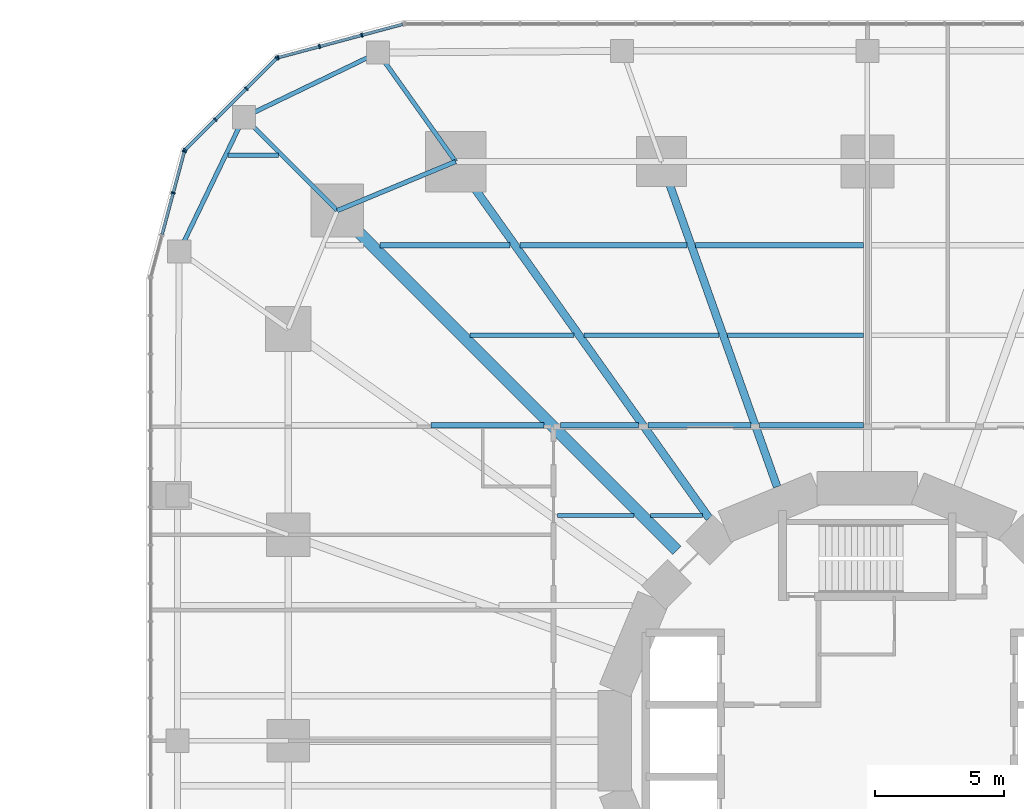
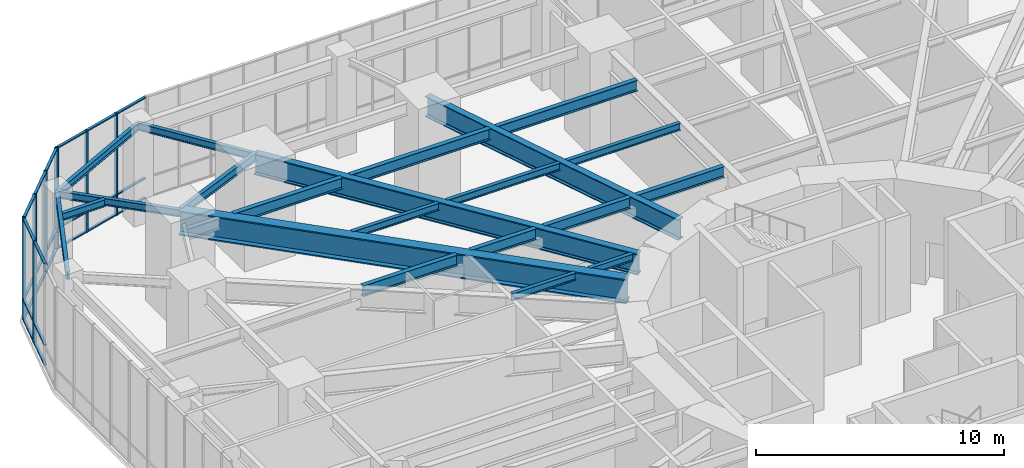
# One storey, part 11 of 24: 33 members, 21 beams, 3 elements without a shape of their own.
"""IFC4 building model written with IfcOpenShell, lengths in metres."""

from ifc_helpers import new_model, si_unit, direction, frame, origin, origin_2d, place, context, subcontext, project, spatial, rectangle, i_section, extrude, material, material_profile, profile_set, type_object, element, aggregate, save


model = new_model("IFC4")

# Units and contexts
model_context = context("Model", 3, precision=1e-05, world=origin(), true_north=direction((0.0, 1.0)))
body_context = subcontext(model_context, "Body", "Model", "MODEL_VIEW")
ifc_project = project(units=[si_unit("LENGTHUNIT", "METRE"), si_unit("AREAUNIT", "SQUARE_METRE"), si_unit("VOLUMEUNIT", "CUBIC_METRE"), si_unit("PLANEANGLEUNIT", "RADIAN"), si_unit("MASSUNIT", "GRAM", prefix="KILO")], contexts=[model_context])

# Site, building, storey
site_placement = place(None, origin())
site = spatial("IfcSite", under=ifc_project, at=site_placement, CompositionType="ELEMENT")
building_placement = place(site_placement, origin())
building = spatial("IfcBuilding", under=site, at=building_placement, Name="Nakasero Lantern House", CompositionType="ELEMENT")
storey_placement = place(building_placement, frame((0.0, 0.0, 11.0)))
storey = spatial("IfcBuildingStorey", under=building, at=storey_placement, Name="L02", CompositionType="ELEMENT", Elevation=11.0)

# Beams
ifc_material_1 = material(Name="Steel S355", Category="steel")
ifc_material_profile_1 = material_profile(ifc_material_1, i_section(OverallWidth=0.17138671875, OverallDepth=0.35498046875, WebThickness=0.00732421875, FlangeThickness=0.011474609375, FilletRadius=0.01025390625, at=origin_2d()), Name="UB 356x171x51")
ifc_profile_set_1 = profile_set([ifc_material_profile_1], Name="Steel S355")
beam_type_1 = type_object("IfcBeamType", Name="Infill beam UB 356x171x51", PredefinedType="JOIST", material=ifc_profile_set_1)
beam_1_placement = place(storey_placement, frame((-12.03857421875, 8.75, 4.62255859375), z_axis=(1.0, 0.0, 0.0), x_axis=(0.0, 1.0, 0.0)))
element("IfcBeam", 1, at=beam_1_placement, inside=storey, type_object=beam_type_1, Name="Infill beam L03 11.1", PredefinedType="JOIST", context=body_context, shape_type="SweptSolid", body=[
    extrude(i_section(OverallWidth=0.17138671875, OverallDepth=0.35498046875, WebThickness=0.00732421875, FlangeThickness=0.011474609375, FilletRadius=0.01025390625, at=origin_2d()), origin(), (0.0, 0.0, 1.0), 2.970458984375),
])
beam_2_placement = place(storey_placement, frame((-8.431884765625, 8.75, 4.62255859375), z_axis=(1.0, 0.0, 0.0), x_axis=(0.0, 1.0, 0.0)))
element("IfcBeam", 2, at=beam_2_placement, inside=storey, type_object=beam_type_1, Name="Infill beam L03 11.2", PredefinedType="JOIST", context=body_context, shape_type="SweptSolid", body=[
    extrude(i_section(OverallWidth=0.17138671875, OverallDepth=0.35498046875, WebThickness=0.00732421875, FlangeThickness=0.011474609375, FilletRadius=0.01025390625, at=origin_2d()), origin(), (0.0, 0.0, 1.0), 2.0205078125),
])
beam_3_placement = place(storey_placement, frame((-15.431884765625, 15.75, 4.62255859375), z_axis=(1.0, 0.0, 0.0), x_axis=(0.0, 1.0, 0.0)))
element("IfcBeam", 3, at=beam_3_placement, inside=storey, type_object=beam_type_1, Name="Infill beam L03 13.1", PredefinedType="JOIST", context=body_context, shape_type="SweptSolid", body=[
    extrude(i_section(OverallWidth=0.17138671875, OverallDepth=0.35498046875, WebThickness=0.00732421875, FlangeThickness=0.011474609375, FilletRadius=0.01025390625, at=origin_2d()), origin(), (0.0, 0.0, 1.0), 4.042724609375),
])
beam_4_placement = place(storey_placement, frame((-11.0107421875, 15.75, 4.62255859375), z_axis=(1.0, 0.0, 0.0), x_axis=(0.0, 1.0, 0.0)))
element("IfcBeam", 4, at=beam_4_placement, inside=storey, type_object=beam_type_1, Name="Infill beam L03 13.2", PredefinedType="JOIST", context=body_context, shape_type="SweptSolid", body=[
    extrude(i_section(OverallWidth=0.17138671875, OverallDepth=0.35498046875, WebThickness=0.00732421875, FlangeThickness=0.011474609375, FilletRadius=0.01025390625, at=origin_2d()), origin(), (0.0, 0.0, 1.0), 5.25048828125),
])
beam_5_placement = place(storey_placement, frame((-5.439697265625, 15.75, 4.62255859375), z_axis=(1.0, 0.0, 0.0), x_axis=(0.0, 1.0, 0.0)))
element("IfcBeam", 5, at=beam_5_placement, inside=storey, type_object=beam_type_1, Name="Infill beam L03 13.3", PredefinedType="JOIST", context=body_context, shape_type="SweptSolid", body=[
    extrude(i_section(OverallWidth=0.17138671875, OverallDepth=0.35498046875, WebThickness=0.00732421875, FlangeThickness=0.011474609375, FilletRadius=0.01025390625, at=origin_2d()), origin(), (0.0, 0.0, 1.0), 5.285400390625),
])
beam_6_placement = place(storey_placement, frame((-24.8369140625, 22.75, 4.572509765625), z_axis=(1.0, 0.0, 0.0), x_axis=(0.0, 1.0, 0.0)))
element("IfcBeam", 6, at=beam_6_placement, inside=storey, type_object=beam_type_1, Name="Infill beam L03 15.1", PredefinedType="JOIST", context=body_context, shape_type="SweptSolid", body=[
    extrude(i_section(OverallWidth=0.17138671875, OverallDepth=0.35498046875, WebThickness=0.00732421875, FlangeThickness=0.011474609375, FilletRadius=0.01025390625, at=origin_2d()), origin(), (0.0, 0.0, 1.0), 1.965576171875),
])
ifc_material_2 = material(Name="Steel S355", Category="steel")
ifc_material_profile_2 = material_profile(ifc_material_2, i_section(OverallWidth=0.2099609375, OverallDepth=0.53662109375, WebThickness=0.0107421875, FlangeThickness=0.017333984375, FilletRadius=0.0126953125, at=origin_2d()), Name="UB 533x210x101")
ifc_profile_set_2 = profile_set([ifc_material_profile_2], Name="Steel S355")
beam_type_2 = type_object("IfcBeamType", Name="Infill beam UB 533x210x101", PredefinedType="JOIST", material=ifc_profile_set_2)
beam_7_placement = place(storey_placement, frame((-18.931884765625, 19.25, 4.53173828125), z_axis=(1.0, 0.0, 0.0), x_axis=(0.0, 1.0, 0.0)))
element("IfcBeam", 7, at=beam_7_placement, inside=storey, type_object=beam_type_2, Name="Infill beam L03 14.2", PredefinedType="JOIST", context=body_context, shape_type="SweptSolid", body=[
    extrude(i_section(OverallWidth=0.2099609375, OverallDepth=0.53662109375, WebThickness=0.0107421875, FlangeThickness=0.017333984375, FilletRadius=0.0126953125, at=origin_2d()), origin(), (0.0, 0.0, 1.0), 5.0537109375),
])
beam_8_placement = place(storey_placement, frame((-13.49951171875, 19.25, 4.53173828125), z_axis=(1.0, 0.0, 0.0), x_axis=(0.0, 1.0, 0.0)))
element("IfcBeam", 8, at=beam_8_placement, inside=storey, type_object=beam_type_2, Name="Infill beam L03 14.3", PredefinedType="JOIST", context=body_context, shape_type="SweptSolid", body=[
    extrude(i_section(OverallWidth=0.2099609375, OverallDepth=0.53662109375, WebThickness=0.0107421875, FlangeThickness=0.017333984375, FilletRadius=0.0126953125, at=origin_2d()), origin(), (0.0, 0.0, 1.0), 6.494873046875),
])
beam_9_placement = place(storey_placement, frame((-6.68408203125, 19.25, 4.53173828125), z_axis=(1.0, 0.0, 0.0), x_axis=(0.0, 1.0, 0.0)))
element("IfcBeam", 9, at=beam_9_placement, inside=storey, type_object=beam_type_2, Name="Infill beam L03 14.4", PredefinedType="JOIST", context=body_context, shape_type="SweptSolid", body=[
    extrude(i_section(OverallWidth=0.2099609375, OverallDepth=0.53662109375, WebThickness=0.0107421875, FlangeThickness=0.017333984375, FilletRadius=0.0126953125, at=origin_2d()), origin(), (0.0, 0.0, 1.0), 6.52978515625),
])
ifc_material_3 = material(Name="Steel S355", Category="steel")
ifc_material_profile_3 = material_profile(ifc_material_3, i_section(OverallWidth=0.208740234375, OverallDepth=0.5283203125, WebThickness=0.009521484375, FlangeThickness=0.01318359375, FilletRadius=0.0126953125, at=origin_2d()), Name="UB 533x210x82")
ifc_profile_set_3 = profile_set([ifc_material_profile_3], Name="Steel S355")
beam_type_3 = type_object("IfcBeamType", Name="Infill beam UB 533x210x82", PredefinedType="JOIST", material=ifc_profile_set_3)
beam_10_placement = place(storey_placement, frame((-16.96044921875, 12.25, 4.535888671875), z_axis=(1.0, 0.0, 0.0), x_axis=(0.0, 1.0, 0.0)))
element("IfcBeam", 10, at=beam_10_placement, inside=storey, type_object=beam_type_3, Name="Infill beam L03 12.3", PredefinedType="JOIST", context=body_context, shape_type="SweptSolid", body=[
    extrude(i_section(OverallWidth=0.208740234375, OverallDepth=0.5283203125, WebThickness=0.009521484375, FlangeThickness=0.01318359375, FilletRadius=0.0126953125, at=origin_2d()), origin(), (0.0, 0.0, 1.0), 4.392333984375),
])
beam_11_placement = place(storey_placement, frame((-11.931884765625, 12.25, 4.535888671875), z_axis=(1.0, 0.0, 0.0), x_axis=(0.0, 1.0, 0.0)))
element("IfcBeam", 11, at=beam_11_placement, inside=storey, type_object=beam_type_3, Name="Infill beam L03 12.4", PredefinedType="JOIST", context=body_context, shape_type="SweptSolid", body=[
    extrude(i_section(OverallWidth=0.208740234375, OverallDepth=0.5283203125, WebThickness=0.009521484375, FlangeThickness=0.01318359375, FilletRadius=0.0126953125, at=origin_2d()), origin(), (0.0, 0.0, 1.0), 3.031494140625),
])
beam_12_placement = place(storey_placement, frame((-8.521728515625, 12.25, 4.535888671875), z_axis=(1.0, 0.0, 0.0), x_axis=(0.0, 1.0, 0.0)))
element("IfcBeam", 12, at=beam_12_placement, inside=storey, type_object=beam_type_3, Name="Infill beam L03 12.5", PredefinedType="JOIST", context=body_context, shape_type="SweptSolid", body=[
    extrude(i_section(OverallWidth=0.208740234375, OverallDepth=0.5283203125, WebThickness=0.009521484375, FlangeThickness=0.01318359375, FilletRadius=0.0126953125, at=origin_2d()), origin(), (0.0, 0.0, 1.0), 4.005859375),
])
beam_13_placement = place(storey_placement, frame((-4.1953125, 12.25, 4.535888671875), z_axis=(1.0, 0.0, 0.0), x_axis=(0.0, 1.0, 0.0)))
element("IfcBeam", 13, at=beam_13_placement, inside=storey, type_object=beam_type_3, Name="Infill beam L03 12.6", PredefinedType="JOIST", context=body_context, shape_type="SweptSolid", body=[
    extrude(i_section(OverallWidth=0.208740234375, OverallDepth=0.5283203125, WebThickness=0.009521484375, FlangeThickness=0.01318359375, FilletRadius=0.0126953125, at=origin_2d()), origin(), (0.0, 0.0, 1.0), 4.041015625),
])

# Curtain wall, members
ifc_material_4 = material(Name="Aluminium 6063-T6 and glass", Category="aluminium")
curtain_wall_type = type_object("IfcCurtainWallType", Name="Podium curtain wall CW-2", PredefinedType="USERDEFINED", material=ifc_material_4)
curtain_wall_1_placement = place(storey_placement, origin())
curtain_wall_1 = element("IfcCurtainWall", 14, at=curtain_wall_1_placement, inside=storey, type_object=curtain_wall_type, Name="Curtain wall CW-2 L02", ObjectType="STICK CURTAIN WALL", PredefinedType="USERDEFINED")
ifc_material_5 = material(Name="Aluminium 6063-T6", Category="aluminium")
ifc_material_profile_4 = material_profile(ifc_material_5, rectangle(XDim=0.06005859375, YDim=0.159912109375, at=origin_2d()), Name="CW-2 mullion 60x160")
ifc_profile_set_4 = profile_set([ifc_material_profile_4], Name="Aluminium 6063-T6")
member_type_1 = type_object("IfcMemberType", Name="Mullion CW-2", PredefinedType="MULLION", material=ifc_profile_set_4)
member_1_placement = place(storey_placement, frame((-19.6416015625, 27.41015625, 0.0), z_axis=(0.0, 0.0, 1.0), x_axis=(-0.965925826289, -0.258819045103, 0.0)))
member_1 = element("IfcMember", 15, at=member_1_placement, type_object=member_type_1, Name="CW-2 mullion 2", PredefinedType="MULLION", context=body_context, shape_type="SweptSolid", body=[
    extrude(rectangle(XDim=0.06005859375, YDim=0.159912109375, at=origin_2d()), origin(), (0.0, 0.0, 1.0), 5.0),
])
member_2_placement = place(storey_placement, frame((-21.283447265625, 26.97021484375, 0.0), z_axis=(0.0, 0.0, 1.0), x_axis=(-0.965925826289, -0.258819045103, 0.0)))
member_2 = element("IfcMember", 16, at=member_2_placement, type_object=member_type_1, Name="CW-2 mullion 3", PredefinedType="MULLION", context=body_context, shape_type="SweptSolid", body=[
    extrude(rectangle(XDim=0.06005859375, YDim=0.159912109375, at=origin_2d()), origin(), (0.0, 0.0, 1.0), 5.0),
])
member_3_placement = place(storey_placement, frame((-22.89599609375, 26.5380859375, 0.0), z_axis=(0.0, 0.0, 1.0), x_axis=(-0.965925826289, -0.258819045103, 0.0)))
member_3 = element("IfcMember", 17, at=member_3_placement, type_object=member_type_1, Name="CW-2 mullion 4", PredefinedType="MULLION", context=body_context, shape_type="SweptSolid", body=[
    extrude(rectangle(XDim=0.06005859375, YDim=0.159912109375, at=origin_2d()), origin(), (0.0, 0.0, 1.0), 5.0),
])

curtain_wall_2_placement = place(storey_placement, origin())
curtain_wall_2 = element("IfcCurtainWall", 18, at=curtain_wall_2_placement, inside=storey, type_object=curtain_wall_type, Name="Curtain wall CW-2 L02", ObjectType="STICK CURTAIN WALL", PredefinedType="USERDEFINED")
member_4_placement = place(storey_placement, frame((-22.9462890625, 26.509033203125, 0.0), z_axis=(0.0, 0.0, 1.0), x_axis=(-0.707106781187, -0.707106781187, 0.0)))
member_4 = element("IfcMember", 19, at=member_4_placement, type_object=member_type_1, Name="CW-2 mullion 1", PredefinedType="MULLION", context=body_context, shape_type="SweptSolid", body=[
    extrude(rectangle(XDim=0.06005859375, YDim=0.159912109375, at=origin_2d()), origin(), (0.0, 0.0, 1.0), 5.0),
])
member_5_placement = place(storey_placement, frame((-24.126708984375, 25.32861328125, 0.0), z_axis=(0.0, 0.0, 1.0), x_axis=(-0.707106781187, -0.707106781187, 0.0)))
member_5 = element("IfcMember", 20, at=member_5_placement, type_object=member_type_1, Name="CW-2 mullion 2", PredefinedType="MULLION", context=body_context, shape_type="SweptSolid", body=[
    extrude(rectangle(XDim=0.06005859375, YDim=0.159912109375, at=origin_2d()), origin(), (0.0, 0.0, 1.0), 5.0),
])
member_6_placement = place(storey_placement, frame((-25.32861328125, 24.126708984375, 0.0), z_axis=(0.0, 0.0, 1.0), x_axis=(-0.707106781187, -0.707106781187, 0.0)))
member_6 = element("IfcMember", 21, at=member_6_placement, type_object=member_type_1, Name="CW-2 mullion 3", PredefinedType="MULLION", context=body_context, shape_type="SweptSolid", body=[
    extrude(rectangle(XDim=0.06005859375, YDim=0.159912109375, at=origin_2d()), origin(), (0.0, 0.0, 1.0), 5.0),
])
member_7_placement = place(storey_placement, frame((-26.509033203125, 22.9462890625, 0.0), z_axis=(0.0, 0.0, 1.0), x_axis=(-0.707106781187, -0.707106781187, 0.0)))
member_7 = element("IfcMember", 22, at=member_7_placement, type_object=member_type_1, Name="CW-2 mullion 4", PredefinedType="MULLION", context=body_context, shape_type="SweptSolid", body=[
    extrude(rectangle(XDim=0.06005859375, YDim=0.159912109375, at=origin_2d()), origin(), (0.0, 0.0, 1.0), 5.0),
])

curtain_wall_3_placement = place(storey_placement, origin())
curtain_wall_3 = element("IfcCurtainWall", 23, at=curtain_wall_3_placement, inside=storey, type_object=curtain_wall_type, Name="Curtain wall CW-2 L02", ObjectType="STICK CURTAIN WALL", PredefinedType="USERDEFINED")
member_8_placement = place(storey_placement, frame((-26.5380859375, 22.89599609375, 0.0), z_axis=(0.0, 0.0, 1.0), x_axis=(-0.258819045103, -0.965925826289, 0.0)))
member_8 = element("IfcMember", 24, at=member_8_placement, type_object=member_type_1, Name="CW-2 mullion 1", PredefinedType="MULLION", context=body_context, shape_type="SweptSolid", body=[
    extrude(rectangle(XDim=0.06005859375, YDim=0.159912109375, at=origin_2d()), origin(), (0.0, 0.0, 1.0), 5.0),
])
member_9_placement = place(storey_placement, frame((-26.97021484375, 21.283447265625, 0.0), z_axis=(0.0, 0.0, 1.0), x_axis=(-0.258819045103, -0.965925826289, 0.0)))
member_9 = element("IfcMember", 25, at=member_9_placement, type_object=member_type_1, Name="CW-2 mullion 2", PredefinedType="MULLION", context=body_context, shape_type="SweptSolid", body=[
    extrude(rectangle(XDim=0.06005859375, YDim=0.159912109375, at=origin_2d()), origin(), (0.0, 0.0, 1.0), 5.0),
])

# Beams
ifc_material_6 = material(Name="Steel S355", Category="steel")
ifc_material_profile_5 = material_profile(ifc_material_6, i_section(OverallWidth=0.449951171875, OverallDepth=1.199951171875, WebThickness=0.02490234375, FlangeThickness=0.06005859375, at=origin_2d()), Name="PG 1200x450x636")
ifc_profile_set_5 = profile_set([ifc_material_profile_5], Name="Steel S355")
beam_type_4 = type_object("IfcBeamType", Name="Primary beam PG 1200x450x636, span over 15 m", PredefinedType="BEAM", material=ifc_profile_set_5)
beam_14_placement = place(storey_placement, frame((-20.59619140625, 20.59619140625, 4.199951171875), z_axis=(0.707106781187, -0.707106781187, 0.0), x_axis=(0.707106781187, 0.707106781187, 0.0)))
element("IfcBeam", 26, at=beam_14_placement, inside=storey, type_object=beam_type_4, Name="Primary beam L03 B1-C12", PredefinedType="BEAM", context=body_context, shape_type="SweptSolid", body=[
    extrude(i_section(OverallWidth=0.449951171875, OverallDepth=1.199951171875, WebThickness=0.02490234375, FlangeThickness=0.06005859375, at=origin_2d()), origin(), (0.0, 0.0, 1.0), 18.669677734375),
])
ifc_material_7 = material(Name="Steel S355", Category="steel")
ifc_material_profile_6 = material_profile(ifc_material_7, i_section(OverallWidth=0.302001953125, OverallDepth=1.008056640625, WebThickness=0.02099609375, FlangeThickness=0.0400390625, FilletRadius=0.030029296875, at=origin_2d()), Name="UB 1016x305x349")
ifc_profile_set_6 = profile_set([ifc_material_profile_6], Name="Steel S355")
beam_type_5 = type_object("IfcBeamType", Name="Primary beam UB 1016x305x349, span 12 to 15 m", PredefinedType="BEAM", material=ifc_profile_set_6)
beam_15_placement = place(storey_placement, frame((-8.0, 22.5, 4.2958984375), z_axis=(0.335010745293, -0.942214307118, 0.0), x_axis=(0.942214307118, 0.335010745293, 0.0)))
element("IfcBeam", 27, at=beam_15_placement, inside=storey, type_object=beam_type_5, Name="Primary beam L03 B1-C10", PredefinedType="BEAM", context=body_context, shape_type="SweptSolid", body=[
    extrude(i_section(OverallWidth=0.302001953125, OverallDepth=1.008056640625, WebThickness=0.02099609375, FlangeThickness=0.0400390625, FilletRadius=0.030029296875, at=origin_2d()), origin(), (0.0, 0.0, 1.0), 13.408447265625),
])
ifc_material_8 = material(Name="Steel S355", Category="steel")
ifc_material_profile_7 = material_profile(ifc_material_8, i_section(OverallWidth=0.30859375, OverallDepth=1.036376953125, WebThickness=0.030029296875, FlangeThickness=0.05419921875, FilletRadius=0.030029296875, at=origin_2d()), Name="UB 1016x305x487")
ifc_profile_set_7 = profile_set([ifc_material_profile_7], Name="Steel S355")
beam_type_6 = type_object("IfcBeamType", Name="Primary beam UB 1016x305x487, span over 15 m", PredefinedType="BEAM", material=ifc_profile_set_7)
beam_16_placement = place(storey_placement, frame((-16.0, 22.5, 4.28173828125), z_axis=(0.579528236629, -0.814952159915, 0.0), x_axis=(0.814952159915, 0.579528236629, 0.0)))
element("IfcBeam", 28, at=beam_16_placement, inside=storey, type_object=beam_type_6, Name="Primary beam L03 B1-C11", PredefinedType="BEAM", context=body_context, shape_type="SweptSolid", body=[
    extrude(i_section(OverallWidth=0.30859375, OverallDepth=1.036376953125, WebThickness=0.030029296875, FlangeThickness=0.05419921875, FilletRadius=0.030029296875, at=origin_2d()), origin(), (0.0, 0.0, 1.0), 17.003173828125),
])
ifc_material_9 = material(Name="Steel S355", Category="steel")
ifc_material_profile_8 = material_profile(ifc_material_9, i_section(OverallWidth=0.17138671875, OverallDepth=0.35498046875, WebThickness=0.00732421875, FlangeThickness=0.011474609375, FilletRadius=0.01025390625, at=origin_2d()), Name="UB 356x171x51")
ifc_profile_set_8 = profile_set([ifc_material_profile_8], Name="Steel S355")
beam_type_7 = type_object("IfcBeamType", Name="Primary beam UB 356x171x51, span to 6 m", PredefinedType="BEAM", material=ifc_profile_set_8)
beam_17_placement = place(storey_placement, frame((-19.0107421875, 26.733642578125, 4.572509765625), z_axis=(0.57954320692, -0.814941514044, 0.0), x_axis=(0.814941514044, 0.57954320692, 0.0)))
element("IfcBeam", 29, at=beam_17_placement, inside=storey, type_object=beam_type_7, Name="Primary beam L03 POD-C11", PredefinedType="BEAM", context=body_context, shape_type="SweptSolid", body=[
    extrude(i_section(OverallWidth=0.17138671875, OverallDepth=0.35498046875, WebThickness=0.00732421875, FlangeThickness=0.011474609375, FilletRadius=0.01025390625, at=origin_2d()), origin(), (0.0, 0.0, 1.0), 5.195068359375),
])
beam_18_placement = place(storey_placement, frame((-24.22265625, 24.22265625, 4.572509765625), z_axis=(0.707106781187, -0.707106781187, 0.0), x_axis=(0.707106781187, 0.707106781187, 0.0)))
element("IfcBeam", 30, at=beam_18_placement, inside=storey, type_object=beam_type_7, Name="Primary beam L03 POD-C12", PredefinedType="BEAM", context=body_context, shape_type="SweptSolid", body=[
    extrude(i_section(OverallWidth=0.17138671875, OverallDepth=0.35498046875, WebThickness=0.00732421875, FlangeThickness=0.011474609375, FilletRadius=0.01025390625, at=origin_2d()), origin(), (0.0, 0.0, 1.0), 5.128662109375),
])
ifc_material_10 = material(Name="Steel S355", Category="steel")
ifc_material_profile_9 = material_profile(ifc_material_10, i_section(OverallWidth=0.17138671875, OverallDepth=0.35498046875, WebThickness=0.00732421875, FlangeThickness=0.011474609375, FilletRadius=0.01025390625, at=origin_2d()), Name="UB 356x171x51")
ifc_profile_set_9 = profile_set([ifc_material_profile_9], Name="Steel S355")
beam_type_8 = type_object("IfcBeamType", Name="Ring beam UB 356x171x51", PredefinedType="BEAM", material=ifc_profile_set_9)
for number, where, z_axis, x_axis, name in (
    (31, (-19.0107421875, 26.733642578125, 4.572509765625), (-0.900897176145, -0.434032577134, 0.0), (0.434032577134, -0.900897176145, 0.0), "Ring beam L03 POD-C11"),
    (32, (-24.22265625, 24.22265625, 4.572509765625), (-0.434032577134, -0.900897176145, 0.0), (0.900897176145, -0.434032577134, 0.0), "Ring beam L03 POD-C12"),
):
    element("IfcBeam", number, at=place(storey_placement, frame(where, z_axis=z_axis, x_axis=x_axis)), inside=storey, type_object=beam_type_8, Name=name, PredefinedType="BEAM", context=body_context, shape_type="SweptSolid", body=[
        extrude(i_section(OverallWidth=0.17138671875, OverallDepth=0.35498046875, WebThickness=0.00732421875, FlangeThickness=0.011474609375, FilletRadius=0.01025390625, at=origin_2d()), origin(), (0.0, 0.0, 1.0), 5.78515625),
    ])
ifc_material_11 = material(Name="Steel S355", Category="steel")
ifc_material_profile_10 = material_profile(ifc_material_11, i_section(OverallWidth=0.177978515625, OverallDepth=0.406494140625, WebThickness=0.0078125, FlangeThickness=0.0126953125, FilletRadius=0.01025390625, at=origin_2d()), Name="UB 406x178x60")
ifc_profile_set_10 = profile_set([ifc_material_profile_10], Name="Steel S355")
beam_type_9 = type_object("IfcBeamType", Name="Ring beam UB 406x178x60", PredefinedType="BEAM", material=ifc_profile_set_10)
beam_19_placement = place(storey_placement, frame((-16.0, 22.5, 4.5966796875), z_axis=(-0.923879264016, -0.382684080569, 0.0), x_axis=(0.382684080569, -0.923879264016, 0.0)))
element("IfcBeam", 33, at=beam_19_placement, inside=storey, type_object=beam_type_9, Name="Ring beam L03 B1-C11", PredefinedType="BEAM", context=body_context, shape_type="SweptSolid", body=[
    extrude(i_section(OverallWidth=0.177978515625, OverallDepth=0.406494140625, WebThickness=0.0078125, FlangeThickness=0.0126953125, FilletRadius=0.01025390625, at=origin_2d()), origin(), (0.0, 0.0, 1.0), 4.974853515625),
])

# Member
ifc_material_12 = material(Name="Aluminium 6063-T6", Category="aluminium")
ifc_material_profile_11 = material_profile(ifc_material_12, rectangle(XDim=0.06005859375, YDim=0.1201171875, at=origin_2d()), Name="CW-2 transom 60x120")
ifc_profile_set_11 = profile_set([ifc_material_profile_11], Name="Aluminium 6063-T6")
member_type_2 = type_object("IfcMemberType", Name="Transom CW-2", PredefinedType="USERDEFINED", material=ifc_profile_set_11)
member_10_placement = place(storey_placement, frame((-18.057861328125, 27.83447265625, 0.030029296875), z_axis=(-0.96594737463, -0.258738612203, 0.0), x_axis=(0.0, 0.0, 1.0)))
member_10 = element("IfcMember", 34, at=member_10_placement, type_object=member_type_2, Name="CW-2 transom 1.1", ObjectType="TRANSOM", PredefinedType="USERDEFINED", context=body_context, shape_type="SweptSolid", body=[
    extrude(rectangle(XDim=0.06005859375, YDim=0.1201171875, at=origin_2d()), origin(), (0.0, 0.0, 1.0), 1.60986328125),
])

member_11_placement = place(storey_placement, frame((-18.057861328125, 27.83447265625, 1.0), z_axis=(-0.96594737463, -0.258738612203, 0.0), x_axis=(0.0, 0.0, 1.0)))
member_11 = element("IfcMember", 35, at=member_11_placement, type_object=member_type_2, Name="CW-2 transom 1.2", ObjectType="TRANSOM", PredefinedType="USERDEFINED", context=body_context, shape_type="SweptSolid", body=[
    extrude(rectangle(XDim=0.06005859375, YDim=0.1201171875, at=origin_2d()), origin(), (0.0, 0.0, 1.0), 1.60986328125),
])

member_12_placement = place(storey_placement, frame((-18.057861328125, 27.83447265625, 4.969970703125), z_axis=(-0.96594737463, -0.258738612203, 0.0), x_axis=(0.0, 0.0, 1.0)))
member_12 = element("IfcMember", 36, at=member_12_placement, type_object=member_type_2, Name="CW-2 transom 1.3", ObjectType="TRANSOM", PredefinedType="USERDEFINED", context=body_context, shape_type="SweptSolid", body=[
    extrude(rectangle(XDim=0.06005859375, YDim=0.1201171875, at=origin_2d()), origin(), (0.0, 0.0, 1.0), 1.60986328125),
])

member_13_placement = place(storey_placement, frame((-19.670654296875, 27.40234375, 0.030029296875), z_axis=(-0.965932765235, -0.258793147214, 0.0), x_axis=(0.0, 0.0, 1.0)))
member_13 = element("IfcMember", 37, at=member_13_placement, type_object=member_type_2, Name="CW-2 transom 2.1", ObjectType="TRANSOM", PredefinedType="USERDEFINED", context=body_context, shape_type="SweptSolid", body=[
    extrude(rectangle(XDim=0.06005859375, YDim=0.1201171875, at=origin_2d()), origin(), (0.0, 0.0, 1.0), 1.6396484375),
])

member_14_placement = place(storey_placement, frame((-19.670654296875, 27.40234375, 1.0), z_axis=(-0.965932765235, -0.258793147214, 0.0), x_axis=(0.0, 0.0, 1.0)))
member_14 = element("IfcMember", 38, at=member_14_placement, type_object=member_type_2, Name="CW-2 transom 2.2", ObjectType="TRANSOM", PredefinedType="USERDEFINED", context=body_context, shape_type="SweptSolid", body=[
    extrude(rectangle(XDim=0.06005859375, YDim=0.1201171875, at=origin_2d()), origin(), (0.0, 0.0, 1.0), 1.6396484375),
])

member_15_placement = place(storey_placement, frame((-19.670654296875, 27.40234375, 4.969970703125), z_axis=(-0.965932765235, -0.258793147214, 0.0), x_axis=(0.0, 0.0, 1.0)))
member_15 = element("IfcMember", 39, at=member_15_placement, type_object=member_type_2, Name="CW-2 transom 2.3", ObjectType="TRANSOM", PredefinedType="USERDEFINED", context=body_context, shape_type="SweptSolid", body=[
    extrude(rectangle(XDim=0.06005859375, YDim=0.1201171875, at=origin_2d()), origin(), (0.0, 0.0, 1.0), 1.6396484375),
])

member_16_placement = place(storey_placement, frame((-21.312255859375, 26.96240234375, 0.030029296875), z_axis=(-0.965937219158, -0.258776522595, 0.0), x_axis=(0.0, 0.0, 1.0)))
member_16 = element("IfcMember", 40, at=member_16_placement, type_object=member_type_2, Name="CW-2 transom 3.1", ObjectType="TRANSOM", PredefinedType="USERDEFINED", context=body_context, shape_type="SweptSolid", body=[
    extrude(rectangle(XDim=0.06005859375, YDim=0.1201171875, at=origin_2d()), origin(), (0.0, 0.0, 1.0), 1.609619140625),
])

member_17_placement = place(storey_placement, frame((-21.312255859375, 26.96240234375, 1.0), z_axis=(-0.965937219158, -0.258776522595, 0.0), x_axis=(0.0, 0.0, 1.0)))
member_17 = element("IfcMember", 41, at=member_17_placement, type_object=member_type_2, Name="CW-2 transom 3.2", ObjectType="TRANSOM", PredefinedType="USERDEFINED", context=body_context, shape_type="SweptSolid", body=[
    extrude(rectangle(XDim=0.06005859375, YDim=0.1201171875, at=origin_2d()), origin(), (0.0, 0.0, 1.0), 1.609619140625),
])

member_18_placement = place(storey_placement, frame((-21.312255859375, 26.96240234375, 4.969970703125), z_axis=(-0.965937219158, -0.258776522595, 0.0), x_axis=(0.0, 0.0, 1.0)))
member_18 = element("IfcMember", 42, at=member_18_placement, type_object=member_type_2, Name="CW-2 transom 3.3", ObjectType="TRANSOM", PredefinedType="USERDEFINED", context=body_context, shape_type="SweptSolid", body=[
    extrude(rectangle(XDim=0.06005859375, YDim=0.1201171875, at=origin_2d()), origin(), (0.0, 0.0, 1.0), 1.609619140625),
])

aggregate(curtain_wall_1, [member_1, member_2, member_3, member_10, member_11, member_12, member_13, member_14, member_15, member_16, member_17, member_18])

member_19_placement = place(storey_placement, frame((-22.967529296875, 26.488037109375, 0.030029296875), z_axis=(-0.707030931707, -0.707182622531, 0.0), x_axis=(0.0, 0.0, 1.0)))
member_19 = element("IfcMember", 43, at=member_19_placement, type_object=member_type_2, Name="CW-2 transom 1.1", ObjectType="TRANSOM", PredefinedType="USERDEFINED", context=body_context, shape_type="SweptSolid", body=[
    extrude(rectangle(XDim=0.06005859375, YDim=0.1201171875, at=origin_2d()), origin(), (0.0, 0.0, 1.0), 1.609375),
])

member_20_placement = place(storey_placement, frame((-22.967529296875, 26.488037109375, 1.0), z_axis=(-0.707030931707, -0.707182622531, 0.0), x_axis=(0.0, 0.0, 1.0)))
member_20 = element("IfcMember", 44, at=member_20_placement, type_object=member_type_2, Name="CW-2 transom 1.2", ObjectType="TRANSOM", PredefinedType="USERDEFINED", context=body_context, shape_type="SweptSolid", body=[
    extrude(rectangle(XDim=0.06005859375, YDim=0.1201171875, at=origin_2d()), origin(), (0.0, 0.0, 1.0), 1.609375),
])

member_21_placement = place(storey_placement, frame((-22.967529296875, 26.488037109375, 4.969970703125), z_axis=(-0.707030931707, -0.707182622531, 0.0), x_axis=(0.0, 0.0, 1.0)))
member_21 = element("IfcMember", 45, at=member_21_placement, type_object=member_type_2, Name="CW-2 transom 1.3", ObjectType="TRANSOM", PredefinedType="USERDEFINED", context=body_context, shape_type="SweptSolid", body=[
    extrude(rectangle(XDim=0.06005859375, YDim=0.1201171875, at=origin_2d()), origin(), (0.0, 0.0, 1.0), 1.609375),
])

member_22_placement = place(storey_placement, frame((-24.14794921875, 25.307373046875, 0.030029296875), z_axis=(-0.707106781187, -0.707106781187, 0.0), x_axis=(0.0, 0.0, 1.0)))
member_22 = element("IfcMember", 46, at=member_22_placement, type_object=member_type_2, Name="CW-2 transom 2.1", ObjectType="TRANSOM", PredefinedType="USERDEFINED", context=body_context, shape_type="SweptSolid", body=[
    extrude(rectangle(XDim=0.06005859375, YDim=0.1201171875, at=origin_2d()), origin(), (0.0, 0.0, 1.0), 1.6396484375),
])

member_23_placement = place(storey_placement, frame((-24.14794921875, 25.307373046875, 1.0), z_axis=(-0.707106781187, -0.707106781187, 0.0), x_axis=(0.0, 0.0, 1.0)))
member_23 = element("IfcMember", 47, at=member_23_placement, type_object=member_type_2, Name="CW-2 transom 2.2", ObjectType="TRANSOM", PredefinedType="USERDEFINED", context=body_context, shape_type="SweptSolid", body=[
    extrude(rectangle(XDim=0.06005859375, YDim=0.1201171875, at=origin_2d()), origin(), (0.0, 0.0, 1.0), 1.6396484375),
])

member_24_placement = place(storey_placement, frame((-24.14794921875, 25.307373046875, 4.969970703125), z_axis=(-0.707106781187, -0.707106781187, 0.0), x_axis=(0.0, 0.0, 1.0)))
member_24 = element("IfcMember", 48, at=member_24_placement, type_object=member_type_2, Name="CW-2 transom 2.3", ObjectType="TRANSOM", PredefinedType="USERDEFINED", context=body_context, shape_type="SweptSolid", body=[
    extrude(rectangle(XDim=0.06005859375, YDim=0.1201171875, at=origin_2d()), origin(), (0.0, 0.0, 1.0), 1.6396484375),
])

member_25_placement = place(storey_placement, frame((-25.349853515625, 24.10546875, 0.030029296875), z_axis=(-0.707182622531, -0.707030931707, 0.0), x_axis=(0.0, 0.0, 1.0)))
member_25 = element("IfcMember", 49, at=member_25_placement, type_object=member_type_2, Name="CW-2 transom 3.1", ObjectType="TRANSOM", PredefinedType="USERDEFINED", context=body_context, shape_type="SweptSolid", body=[
    extrude(rectangle(XDim=0.06005859375, YDim=0.1201171875, at=origin_2d()), origin(), (0.0, 0.0, 1.0), 1.609375),
])

member_26_placement = place(storey_placement, frame((-25.349853515625, 24.10546875, 1.0), z_axis=(-0.707182622531, -0.707030931707, 0.0), x_axis=(0.0, 0.0, 1.0)))
member_26 = element("IfcMember", 50, at=member_26_placement, type_object=member_type_2, Name="CW-2 transom 3.2", ObjectType="TRANSOM", PredefinedType="USERDEFINED", context=body_context, shape_type="SweptSolid", body=[
    extrude(rectangle(XDim=0.06005859375, YDim=0.1201171875, at=origin_2d()), origin(), (0.0, 0.0, 1.0), 1.609375),
])

member_27_placement = place(storey_placement, frame((-25.349853515625, 24.10546875, 4.969970703125), z_axis=(-0.707182622531, -0.707030931707, 0.0), x_axis=(0.0, 0.0, 1.0)))
member_27 = element("IfcMember", 51, at=member_27_placement, type_object=member_type_2, Name="CW-2 transom 3.3", ObjectType="TRANSOM", PredefinedType="USERDEFINED", context=body_context, shape_type="SweptSolid", body=[
    extrude(rectangle(XDim=0.06005859375, YDim=0.1201171875, at=origin_2d()), origin(), (0.0, 0.0, 1.0), 1.609375),
])

aggregate(curtain_wall_2, [member_4, member_5, member_6, member_7, member_19, member_20, member_21, member_22, member_23, member_24, member_25, member_26, member_27])

member_28_placement = place(storey_placement, frame((-26.5458984375, 22.866943359375, 0.030029296875), z_axis=(-0.258776522595, -0.965937219158, 0.0), x_axis=(0.0, 0.0, 1.0)))
member_28 = element("IfcMember", 52, at=member_28_placement, type_object=member_type_2, Name="CW-2 transom 1.1", ObjectType="TRANSOM", PredefinedType="USERDEFINED", context=body_context, shape_type="SweptSolid", body=[
    extrude(rectangle(XDim=0.06005859375, YDim=0.1201171875, at=origin_2d()), origin(), (0.0, 0.0, 1.0), 1.609619140625),
])

member_29_placement = place(storey_placement, frame((-26.5458984375, 22.866943359375, 1.0), z_axis=(-0.258776522595, -0.965937219158, 0.0), x_axis=(0.0, 0.0, 1.0)))
member_29 = element("IfcMember", 53, at=member_29_placement, type_object=member_type_2, Name="CW-2 transom 1.2", ObjectType="TRANSOM", PredefinedType="USERDEFINED", context=body_context, shape_type="SweptSolid", body=[
    extrude(rectangle(XDim=0.06005859375, YDim=0.1201171875, at=origin_2d()), origin(), (0.0, 0.0, 1.0), 1.609619140625),
])

member_30_placement = place(storey_placement, frame((-26.5458984375, 22.866943359375, 4.969970703125), z_axis=(-0.258776522595, -0.965937219158, 0.0), x_axis=(0.0, 0.0, 1.0)))
member_30 = element("IfcMember", 54, at=member_30_placement, type_object=member_type_2, Name="CW-2 transom 1.3", ObjectType="TRANSOM", PredefinedType="USERDEFINED", context=body_context, shape_type="SweptSolid", body=[
    extrude(rectangle(XDim=0.06005859375, YDim=0.1201171875, at=origin_2d()), origin(), (0.0, 0.0, 1.0), 1.609619140625),
])

member_31_placement = place(storey_placement, frame((-26.97802734375, 21.25439453125, 0.030029296875), z_axis=(-0.258793147214, -0.965932765235, 0.0), x_axis=(0.0, 0.0, 1.0)))
member_31 = element("IfcMember", 55, at=member_31_placement, type_object=member_type_2, Name="CW-2 transom 2.1", ObjectType="TRANSOM", PredefinedType="USERDEFINED", context=body_context, shape_type="SweptSolid", body=[
    extrude(rectangle(XDim=0.06005859375, YDim=0.1201171875, at=origin_2d()), origin(), (0.0, 0.0, 1.0), 1.6396484375),
])

member_32_placement = place(storey_placement, frame((-26.97802734375, 21.25439453125, 1.0), z_axis=(-0.258793147214, -0.965932765235, 0.0), x_axis=(0.0, 0.0, 1.0)))
member_32 = element("IfcMember", 56, at=member_32_placement, type_object=member_type_2, Name="CW-2 transom 2.2", ObjectType="TRANSOM", PredefinedType="USERDEFINED", context=body_context, shape_type="SweptSolid", body=[
    extrude(rectangle(XDim=0.06005859375, YDim=0.1201171875, at=origin_2d()), origin(), (0.0, 0.0, 1.0), 1.6396484375),
])

member_33_placement = place(storey_placement, frame((-26.97802734375, 21.25439453125, 4.969970703125), z_axis=(-0.258793147214, -0.965932765235, 0.0), x_axis=(0.0, 0.0, 1.0)))
member_33 = element("IfcMember", 57, at=member_33_placement, type_object=member_type_2, Name="CW-2 transom 2.3", ObjectType="TRANSOM", PredefinedType="USERDEFINED", context=body_context, shape_type="SweptSolid", body=[
    extrude(rectangle(XDim=0.06005859375, YDim=0.1201171875, at=origin_2d()), origin(), (0.0, 0.0, 1.0), 1.6396484375),
])

aggregate(curtain_wall_3, [member_8, member_9, member_28, member_29, member_30, member_31, member_32, member_33])

save(model, "model.ifc")
